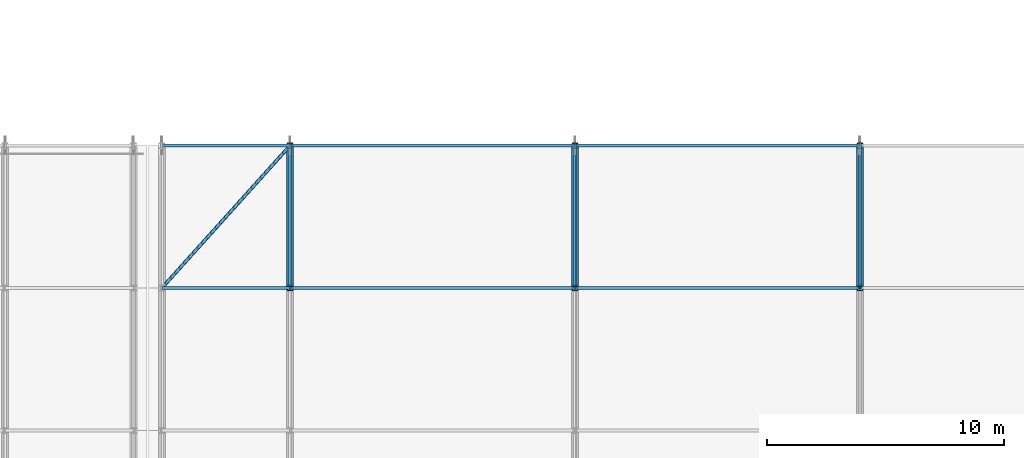
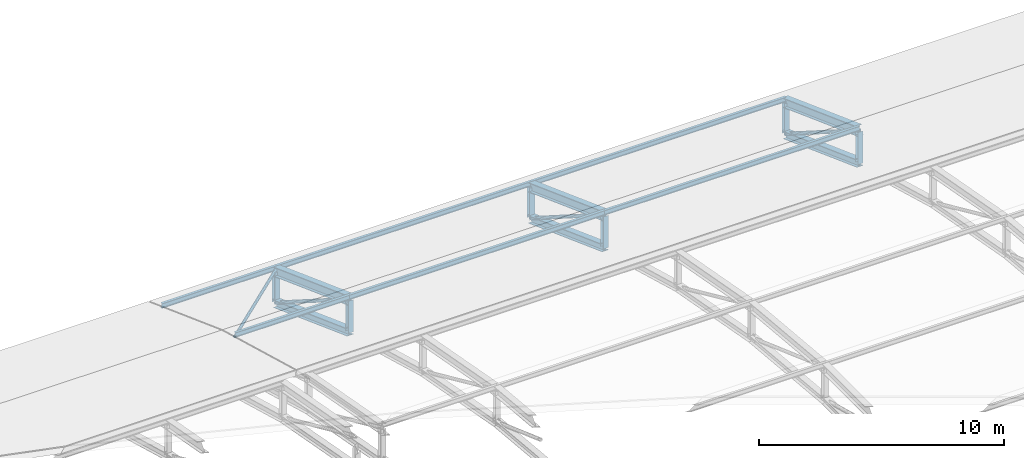
# One storey, part 100 of 204: 22 members.
"""IFC4 building model written with IfcOpenShell, lengths in metres."""

import ifcopenshell
import ifcopenshell.guid

model = None  # the IFC model being written
_history = None  # IfcOwnerHistory: only IFC2X3 demands one
_inside = {}  # id of a spatial element -> (the spatial element, [elements in it])
_under = {}  # id of a project, library or spatial element -> (it, [spatial elements below it])
_declared = {}  # id of a project -> (the project, [libraries it declares])
_typed = {}  # id of a type object -> (the type object, [elements of that type])
_made_of = {}  # id of a material, layer set ... -> (it, [elements and type objects made of it])


def new_model(schema):
    """Start an empty IFC model of exactly this schema.

    Asked for "IFC4X3", IfcOpenShell would pick the latest addendum, in which some entities
    have other attributes; the version numbers below select the first issue.
    IFC2X3 requires an IfcOwnerHistory on every rooted entity: one is made here for all.
    """
    global model, _history
    if schema == "IFC4X3":
        model = ifcopenshell.file(schema_version=(4, 3, 0, 0))
    else:
        model = ifcopenshell.file(schema=schema)
    _inside.clear()
    _under.clear()
    _declared.clear()
    _typed.clear()
    _made_of.clear()
    _history = None
    if model.schema == "IFC2X3":
        org = make("IfcOrganization", Name="unknown")
        user = make(
            "IfcPersonAndOrganization",
            ThePerson=make("IfcPerson", FamilyName="unknown"),
            TheOrganization=org,
        )
        app = make(
            "IfcApplication",
            ApplicationDeveloper=org,
            Version="unknown",
            ApplicationFullName="unknown",
            ApplicationIdentifier="unknown",
        )
        _history = make(
            "IfcOwnerHistory",
            OwningUser=user,
            OwningApplication=app,
            ChangeAction="ADDED",
            CreationDate=0,
        )
    return model


def make(cls, **values):
    """One entity of the class cls with the attributes given. An attribute that is None is left unset."""
    return model.create_entity(
        cls, **{name: value for name, value in values.items() if value is not None}
    )


def rooted(cls, **values):
    """An entity with a GlobalId (a new one), such as an element, a storey or a relation."""
    return make(cls, GlobalId=ifcopenshell.guid.new(), OwnerHistory=_history, **values)


def si_unit(unit_type, name, prefix=None):
    """IfcSIUnit, for example si_unit("LENGTHUNIT", "METRE", prefix="MILLI")."""
    return make("IfcSIUnit", UnitType=unit_type, Prefix=prefix, Name=name)


def assignment(units):
    """IfcUnitAssignment: the units of a project."""
    return None if units is None else make("IfcUnitAssignment", Units=units)


def point(xyz):
    """IfcCartesianPoint."""
    return None if xyz is None else make("IfcCartesianPoint", Coordinates=xyz)


def direction(xyz):
    """IfcDirection."""
    return None if xyz is None else make("IfcDirection", DirectionRatios=xyz)


def frame(location, z_axis=None, x_axis=None):
    """IfcAxis2Placement3D, a coordinate frame: its origin and axes. An axis left out is left unset."""
    return make(
        "IfcAxis2Placement3D",
        Location=point(location),
        Axis=direction(z_axis),
        RefDirection=direction(x_axis),
    )


def frame_2d(location, x_axis=None):
    """IfcAxis2Placement2D, a coordinate frame in the plane: its origin and x axis."""
    return make(
        "IfcAxis2Placement2D", Location=point(location), RefDirection=direction(x_axis)
    )


def origin():
    """The frame at (0, 0, 0) with its axes left unset."""
    return frame((0.0, 0.0, 0.0))


def origin_2d():
    """The frame at (0, 0) in the plane with its x axis left unset."""
    return frame_2d((0.0, 0.0))


def place(relative_to, where):
    """IfcLocalPlacement: puts the frame where relative to a parent placement (None: the world)."""
    return make(
        "IfcLocalPlacement", PlacementRelTo=relative_to, RelativePlacement=where
    )


def context(
    kind, dimensions, precision=None, world=None, true_north=None, identifier=None
):
    """IfcGeometricRepresentationContext, for example the 3D "Model" context."""
    return make(
        "IfcGeometricRepresentationContext",
        ContextIdentifier=identifier,
        ContextType=kind,
        CoordinateSpaceDimension=dimensions,
        Precision=precision,
        WorldCoordinateSystem=world,
        TrueNorth=true_north,
    )


def subcontext(parent, identifier, kind, view, scale=None):
    """IfcGeometricRepresentationSubContext, for example "Body" below "Model"."""
    return make(
        "IfcGeometricRepresentationSubContext",
        ContextIdentifier=identifier,
        ContextType=kind,
        ParentContext=parent,
        TargetScale=scale,
        TargetView=view,
    )


def project(units=None, contexts=None):
    """IfcProject with its units and contexts."""
    return rooted(
        "IfcProject",
        Name="project",
        RepresentationContexts=contexts,
        UnitsInContext=assignment(units),
    )


def spatial(cls, under=None, at=None, **own):
    """A site, building, storey or space (cls), placed at a placement, below another one or the project."""
    s = rooted(cls, ObjectPlacement=at, **own)
    if under is not None:
        _under.setdefault(under.id(), (under, []))[1].append(s)
    return s


def profile(cls, at=None, kind="AREA", **sizes):
    """A parametric profile (cls). Its sizes go by their IFC names, for example OverallWidth=200.0."""
    return make(cls, ProfileType=kind, Position=at, **sizes)


def hollow_circle(**sizes):
    """IfcCircleHollowProfileDef."""
    return profile("IfcCircleHollowProfileDef", **sizes)


def i_section(**sizes):
    """IfcIShapeProfileDef."""
    return profile("IfcIShapeProfileDef", **sizes)


def extrude(swept, where, along, depth):
    """IfcExtrudedAreaSolid: the profile swept, set in the frame where, extruded along a direction by depth."""
    return make(
        "IfcExtrudedAreaSolid",
        SweptArea=swept,
        Position=where,
        ExtrudedDirection=direction(along),
        Depth=depth,
    )


def shape(context_of_items, identifier, shape_type, items):
    """IfcShapeRepresentation: the items that make up one representation, for example the "Body"."""
    return make(
        "IfcShapeRepresentation",
        ContextOfItems=context_of_items,
        RepresentationIdentifier=identifier,
        RepresentationType=shape_type,
        Items=items,
    )


def material(Name=None, Category=None):
    """IfcMaterial."""
    return make("IfcMaterial", Name=Name, Category=Category)


def material_profile(
    of_material, cross_section, Name=None, Category=None, Priority=None
):
    """IfcMaterialProfile: a cross section and its material."""
    return make(
        "IfcMaterialProfile",
        Name=Name,
        Material=of_material,
        Profile=cross_section,
        Priority=Priority,
        Category=Category,
    )


def profile_set(profiles, Name=None, composite=None):
    """IfcMaterialProfileSet."""
    return make(
        "IfcMaterialProfileSet",
        Name=Name,
        MaterialProfiles=profiles,
        CompositeProfile=composite,
    )


def made_of(thing, what):
    """Note that an element or type object is made of a material, layer set ...; save() writes the relation."""
    if what is not None:
        _made_of.setdefault(what.id(), (what, []))[1].append(thing)
    return thing


def type_object(cls, material=None, **own):
    """A type object (cls), such as IfcWallType, which elements share."""
    return made_of(rooted(cls, **own), material)


def element(
    cls,
    number,
    at=None,
    inside=None,
    cuts=None,
    type_object=None,
    material=None,
    context=None,
    identifier="Body",
    shape_type=None,
    held_by="IfcProductDefinitionShape",
    body=None,
    shapes=None,
    **own,
):
    """One element of the class cls, such as IfcWall. Its Tag is "e" and its number.

    at: its placement. inside: the storey or other place that contains it. cuts: it is an
    opening in that element (IfcRelVoidsElement). A single representation is given by context,
    identifier, shape_type and body (its items); several are given by shapes. held_by: the class
    of the entity that holds the representations. save() writes the other relations.
    """
    e = rooted(cls, Tag="e%d" % number, ObjectPlacement=at, **own)
    if body is not None:
        shapes = [shape(context, identifier, shape_type, body)]
    if shapes is not None:
        e.Representation = make(held_by, Representations=shapes)
    if inside is not None:
        _inside.setdefault(inside.id(), (inside, []))[1].append(e)
    if cuts is not None:
        rooted(
            "IfcRelVoidsElement", RelatingBuildingElement=cuts, RelatedOpeningElement=e
        )
    if type_object is not None:
        _typed.setdefault(type_object.id(), (type_object, []))[1].append(e)
    return made_of(e, material)


def aggregate(whole, parts):
    """IfcRelAggregates: a whole, such as a stair, and the parts it consists of."""
    return rooted("IfcRelAggregates", RelatingObject=whole, RelatedObjects=parts)


def save(model, path):
    """Write the relations noted so far, then the file.

    IfcRelAggregates (storeys below a building ...), IfcRelContainedInSpatialStructure (elements
    in a storey), IfcRelDefinesByType, IfcRelAssociatesMaterial and IfcRelDeclares: one each for
    every whole, place, type object, material and project.
    """
    for whole, parts in _under.values():
        aggregate(whole, parts)
    for where, things in _inside.values():
        rooted(
            "IfcRelContainedInSpatialStructure",
            RelatedElements=things,
            RelatingStructure=where,
        )
    for kind, things in _typed.values():
        rooted("IfcRelDefinesByType", RelatedObjects=things, RelatingType=kind)
    for what, things in _made_of.values():
        rooted("IfcRelAssociatesMaterial", RelatedObjects=things, RelatingMaterial=what)
    for by, libraries in _declared.values():
        rooted("IfcRelDeclares", RelatingContext=by, RelatedDefinitions=libraries)
    model.write(path)


model = new_model("IFC4")

# Units and contexts
model_context = context("Model", 3, precision=1e-05, world=origin(), true_north=direction((0.0, 1.0)))
body_context = subcontext(model_context, "Body", "Model", "MODEL_VIEW")
ifc_project = project(units=[si_unit("LENGTHUNIT", "METRE"), si_unit("AREAUNIT", "SQUARE_METRE"), si_unit("VOLUMEUNIT", "CUBIC_METRE"), si_unit("PLANEANGLEUNIT", "RADIAN"), si_unit("MASSUNIT", "GRAM", prefix="KILO")], contexts=[model_context])

# Site, building, storey
site_placement = place(None, origin())
site = spatial("IfcSite", under=ifc_project, at=site_placement, CompositionType="ELEMENT")
building_placement = place(site_placement, origin())
building = spatial("IfcBuilding", under=site, at=building_placement, Name="Zilviju Railside Exhibition Hall", CompositionType="ELEMENT")
storey_placement = place(building_placement, frame((0.0, 0.0, 21.0)))
storey = spatial("IfcBuildingStorey", under=building, at=storey_placement, Name="RF", CompositionType="ELEMENT", Elevation=21.0)

# Members
ifc_material = material(Name="Steel S355J2", Category="steel")
ifc_material_profile_1 = material_profile(ifc_material, hollow_circle(Radius=0.06982421875, WallThickness=0.00634765625, at=origin_2d()), Name="CHS 139.7x6.3")
ifc_profile_set_1 = profile_set([ifc_material_profile_1], Name="Steel S355J2")
member_type_1 = type_object("IfcMemberType", Name="TR-BR-CHS139", PredefinedType="BRACE", material=ifc_profile_set_1)
member_placement = place(storey_placement, frame((126.60009765625, 48.0, -3.964599609375), z_axis=(0.645910672406, 0.717691503981, -0.260227416666), x_axis=(-0.743300161789, 0.668958047626, 0.0)))
element("IfcMember", 1, at=member_placement, inside=storey, type_object=member_type_1, Name="V1 Roof Wind Brace (126.6..132.0)", PredefinedType="BRACE", context=body_context, shape_type="SweptSolid", body=[
    extrude(hollow_circle(Radius=0.06982421875, WallThickness=0.00634765625, at=origin_2d()), origin(), (0.0, 0.0, 1.0), 8.360107421875),
])
ifc_material_profile_2 = material_profile(ifc_material, hollow_circle(Radius=0.084228515625, WallThickness=0.008056640625, at=origin_2d()), Name="CHS 168.3x8.0")
ifc_profile_set_2 = profile_set([ifc_material_profile_2], Name="Steel S355J2")
member_type_2 = type_object("IfcMemberType", Name="TR-BR-CHS168", PredefinedType="BRACE", material=ifc_profile_set_2)
for number, where, z_axis, x_axis, name in (
    (2, (132.0, 48.0, -3.987548828125), (0.0, 0.844023315733, -0.536306481872), (-1.0, 0.0, 0.0), "V1 Parabolic Arch Web Diagonal X=132.0 P9"),
    (3, (144.0, 48.0, -3.987548828125), (0.0, 0.844023315733, -0.536306481872), (-1.0, 0.0, 0.0), "V1 Parabolic Arch Web Diagonal X=144.0 P9"),
    (4, (156.0, 48.0, -3.987548828125), (0.0, 0.844023315733, -0.536306481872), (-1.0, 0.0, 0.0), "V1 Parabolic Arch Web Diagonal X=156.0 P9"),
):
    element("IfcMember", number, at=place(storey_placement, frame(where, z_axis=z_axis, x_axis=x_axis)), inside=storey, type_object=member_type_2, Name=name, PredefinedType="BRACE", context=body_context, shape_type="SweptSolid", body=[
        extrude(hollow_circle(Radius=0.084228515625, WallThickness=0.008056640625, at=origin_2d()), origin(), (0.0, 0.0, 1.0), 7.10888671875),
    ])
ifc_material_profile_3 = material_profile(ifc_material, i_section(OverallWidth=0.300048828125, OverallDepth=0.360107421875, WebThickness=0.012451171875, FlangeThickness=0.0224609375, at=origin_2d()), Name="HEB 360")
ifc_profile_set_3 = profile_set([ifc_material_profile_3], Name="Steel S355J2")
member_type_3 = type_object("IfcMemberType", Name="TR-CH-HEB360", PredefinedType="CHORD", material=ifc_profile_set_3)
for number, where, z_axis, x_axis, name in (
    (5, (132.0, 48.0, -5.587646484375), (0.0, 0.938247917098, -0.345963648468), (-1.0, 0.0, 0.0), "V1 Parabolic Arch Bottom Chord X=132.0 P9"),
    (6, (144.0, 48.0, -5.587646484375), (0.0, 0.938247917098, -0.345963648468), (-1.0, 0.0, 0.0), "V1 Parabolic Arch Bottom Chord X=144.0 P9"),
    (7, (156.0, 48.0, -5.587646484375), (0.0, 0.938247917098, -0.345963648468), (-1.0, 0.0, 0.0), "V1 Parabolic Arch Bottom Chord X=156.0 P9"),
):
    element("IfcMember", number, at=place(storey_placement, frame(where, z_axis=z_axis, x_axis=x_axis)), inside=storey, type_object=member_type_3, Name=name, PredefinedType="CHORD", context=body_context, shape_type="SweptSolid", body=[
        extrude(i_section(OverallWidth=0.300048828125, OverallDepth=0.360107421875, WebThickness=0.012451171875, FlangeThickness=0.0224609375, at=origin_2d()), origin(), (0.0, 0.0, 1.0), 6.39501953125),
    ])
ifc_material_profile_4 = material_profile(ifc_material, i_section(OverallWidth=0.300048828125, OverallDepth=0.449951171875, WebThickness=0.013916015625, FlangeThickness=0.02587890625, at=origin_2d()), Name="HEB 450")
ifc_profile_set_4 = profile_set([ifc_material_profile_4], Name="Steel S355J2")
member_type_4 = type_object("IfcMemberType", Name="TR-CH-HEB450", PredefinedType="CHORD", material=ifc_profile_set_4)
for number, where, z_axis, x_axis, name in (
    (8, (132.0, 48.0, -3.987548828125), (0.0, 0.938247917098, -0.345963648468), (-1.0, 0.0, 0.0), "V1 Parabolic Arch Top Chord X=132.0 P9"),
    (9, (144.0, 48.0, -3.987548828125), (0.0, 0.938247917098, -0.345963648468), (-1.0, 0.0, 0.0), "V1 Parabolic Arch Top Chord X=144.0 P9"),
    (10, (156.0, 48.0, -3.987548828125), (0.0, 0.938247917098, -0.345963648468), (-1.0, 0.0, 0.0), "V1 Parabolic Arch Top Chord X=156.0 P9"),
):
    element("IfcMember", number, at=place(storey_placement, frame(where, z_axis=z_axis, x_axis=x_axis)), inside=storey, type_object=member_type_4, Name=name, PredefinedType="CHORD", context=body_context, shape_type="SweptSolid", body=[
        extrude(i_section(OverallWidth=0.300048828125, OverallDepth=0.449951171875, WebThickness=0.013916015625, FlangeThickness=0.02587890625, at=origin_2d()), origin(), (0.0, 0.0, 1.0), 6.39501953125),
    ])
ifc_material_profile_5 = material_profile(ifc_material, i_section(OverallWidth=0.239990234375, OverallDepth=0.22998046875, WebThickness=0.007568359375, FlangeThickness=0.011962890625, at=origin_2d()), Name="HEA 240")
ifc_profile_set_5 = profile_set([ifc_material_profile_5], Name="Steel S355J2")
member_type_5 = type_object("IfcMemberType", Name="TR-POST-HEA240", PredefinedType="POST", material=ifc_profile_set_5)
for number, where, z_axis, x_axis, name in (
    (11, (132.0, 48.0, -5.587646484375), (0.0, 0.0, 1.0), (1.0, 0.0, 0.0), "V1 Parabolic Arch Web Post X=132.0 N8"),
    (12, (132.0, 54.0, -7.800048828125), (0.0, 0.0, 1.0), (1.0, 0.0, 0.0), "V1 Parabolic Arch Web Post X=132.0 N9"),
    (13, (144.0, 48.0, -5.587646484375), (0.0, 0.0, 1.0), (1.0, 0.0, 0.0), "V1 Parabolic Arch Web Post X=144.0 N8"),
    (14, (144.0, 54.0, -7.800048828125), (0.0, 0.0, 1.0), (1.0, 0.0, 0.0), "V1 Parabolic Arch Web Post X=144.0 N9"),
    (15, (156.0, 48.0, -5.587646484375), (0.0, 0.0, 1.0), (1.0, 0.0, 0.0), "V1 Parabolic Arch Web Post X=156.0 N8"),
    (16, (156.0, 54.0, -7.800048828125), (0.0, 0.0, 1.0), (1.0, 0.0, 0.0), "V1 Parabolic Arch Web Post X=156.0 N9"),
):
    element("IfcMember", number, at=place(storey_placement, frame(where, z_axis=z_axis, x_axis=x_axis)), inside=storey, type_object=member_type_5, Name=name, PredefinedType="POST", context=body_context, shape_type="SweptSolid", body=[
        extrude(i_section(OverallWidth=0.239990234375, OverallDepth=0.22998046875, WebThickness=0.007568359375, FlangeThickness=0.011962890625, at=origin_2d()), origin(), (0.0, 0.0, 1.0), 1.60009765625),
    ])
ifc_material_profile_6 = material_profile(ifc_material, i_section(OverallWidth=0.1201171875, OverallDepth=0.239990234375, WebThickness=0.006103515625, FlangeThickness=0.009765625, at=origin_2d()), Name="IPE 240")
ifc_profile_set_6 = profile_set([ifc_material_profile_6], Name="Steel S355J2")
member_type_6 = type_object("IfcMemberType", Name="TR-PUR-IPE240", PredefinedType="PURLIN", material=ifc_profile_set_6)
for number, where, z_axis, x_axis, name in (
    (17, (126.60009765625, 48.0, -3.864990234375), (1.0, 0.0, 0.0), (0.0, 1.0, 0.0), "V1 Barrel Vault Roof Purlin Y=48.0 (126.6..132.0)"),
    (18, (126.60009765625, 54.0, -6.05517578125), (1.0, 0.0, 0.0), (0.0, 1.0, 0.0), "V1 Barrel Vault Roof Purlin Y=54.0 (126.6..132.0)"),
):
    element("IfcMember", number, at=place(storey_placement, frame(where, z_axis=z_axis, x_axis=x_axis)), inside=storey, type_object=member_type_6, Name=name, PredefinedType="PURLIN", context=body_context, shape_type="SweptSolid", body=[
        extrude(i_section(OverallWidth=0.1201171875, OverallDepth=0.239990234375, WebThickness=0.006103515625, FlangeThickness=0.009765625, at=origin_2d()), origin(), (0.0, 0.0, 1.0), 5.39990234375),
    ])
for number, where, z_axis, x_axis, name in (
    (19, (132.0, 48.0, -3.864990234375), (1.0, 0.0, 0.0), (0.0, 1.0, 0.0), "V1 Barrel Vault Roof Purlin Y=48.0 (132.0..144.0)"),
    (20, (132.0, 54.0, -6.05517578125), (1.0, 0.0, 0.0), (0.0, 1.0, 0.0), "V1 Barrel Vault Roof Purlin Y=54.0 (132.0..144.0)"),
    (21, (144.0, 48.0, -3.864990234375), (1.0, 0.0, 0.0), (0.0, 1.0, 0.0), "V1 Barrel Vault Roof Purlin Y=48.0 (144.0..156.0)"),
    (22, (144.0, 54.0, -6.05517578125), (1.0, 0.0, 0.0), (0.0, 1.0, 0.0), "V1 Barrel Vault Roof Purlin Y=54.0 (144.0..156.0)"),
):
    element("IfcMember", number, at=place(storey_placement, frame(where, z_axis=z_axis, x_axis=x_axis)), inside=storey, type_object=member_type_6, Name=name, PredefinedType="PURLIN", context=body_context, shape_type="SweptSolid", body=[
        extrude(i_section(OverallWidth=0.1201171875, OverallDepth=0.239990234375, WebThickness=0.006103515625, FlangeThickness=0.009765625, at=origin_2d()), origin(), (0.0, 0.0, 1.0), 12.0),
    ])

save(model, "model.ifc")
